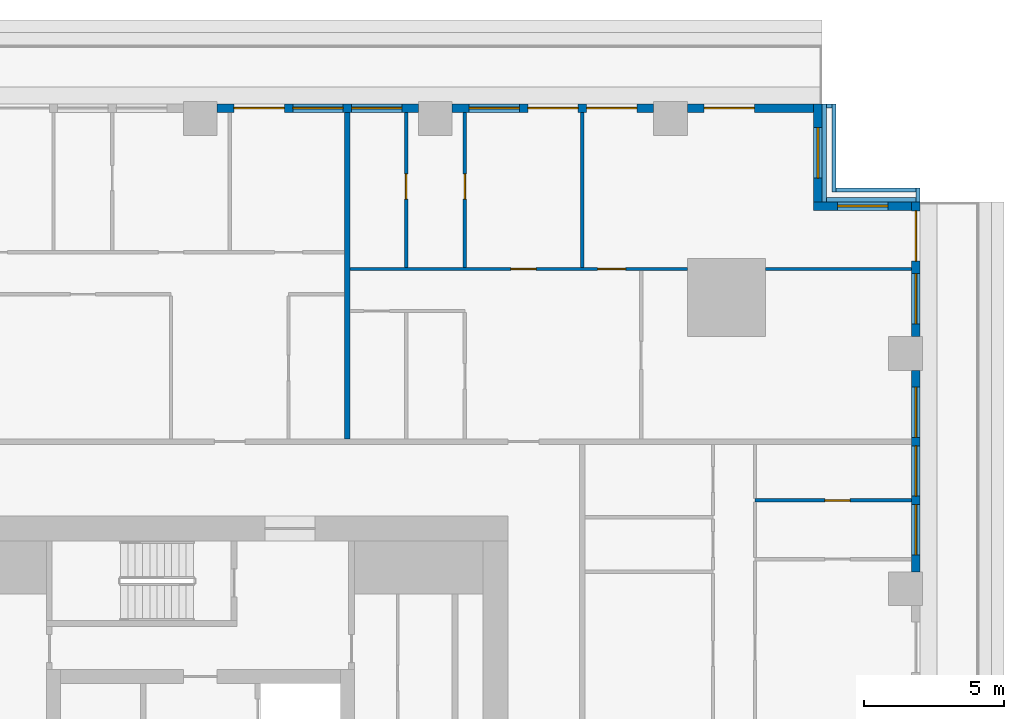
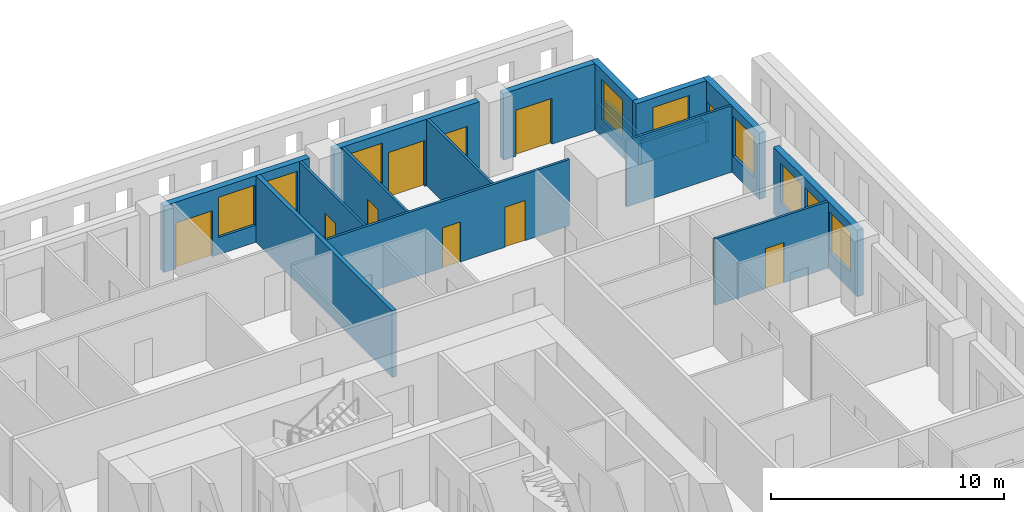
# One storey, part 10 of 16: 20 walls, 10 doors, 9 windows, 19 openings.
"""IFC4 building model written with IfcOpenShell, lengths in metres."""

from ifc_helpers import new_model, si_unit, direction, frame, frame_2d, origin, place, context, subcontext, project, spatial, rectangle, extrude, material, layer, layer_set, type_object, element, fill, save


model = new_model("IFC4")

# Units and contexts
model_context = context("Model", 3, precision=1e-05, world=origin(), true_north=direction((0.0, 1.0)))
body_context = subcontext(model_context, "Body", "Model", "MODEL_VIEW")
ifc_project = project(units=[si_unit("LENGTHUNIT", "METRE"), si_unit("AREAUNIT", "SQUARE_METRE"), si_unit("VOLUMEUNIT", "CUBIC_METRE"), si_unit("PLANEANGLEUNIT", "RADIAN"), si_unit("MASSUNIT", "GRAM", prefix="KILO")], contexts=[model_context])

# Site, building, storey
site_placement = place(None, origin())
site = spatial("IfcSite", under=ifc_project, at=site_placement, CompositionType="ELEMENT")
building_placement = place(site_placement, origin())
building = spatial("IfcBuilding", under=site, at=building_placement, Name="Khepri Terraces", CompositionType="ELEMENT")
storey_placement = place(building_placement, frame((0.0, 0.0, 79.199951171875)))
storey = spatial("IfcBuildingStorey", under=building, at=storey_placement, Name="L18", CompositionType="ELEMENT", Elevation=79.199951171875)

# Wall
ifc_material_1 = material(Name="Fire-rated gypsum plasterboard partition, mineral wool")
ifc_layer_1 = layer(ifc_material_1, 0.199951171875, Name="Fire-rated gypsum plasterboard partition, mineral wool")
ifc_layer_set_1 = layer_set([ifc_layer_1], Name="Fire-rated gypsum plasterboard partition, mineral wool")
wall_type_1 = type_object("IfcWallType", Name="WL-CORR-200", PredefinedType="PARTITIONING", material=ifc_layer_set_1)
wall_1_placement = place(storey_placement, frame((5.25, 13.75, 0.0), z_axis=(0.0, 0.0, 1.0), x_axis=(0.0, 1.0, 0.0)))
element("IfcWall", 1, at=wall_1_placement, inside=storey, type_object=wall_type_1, Name="Partition P-087 L18", PredefinedType="PARTITIONING", context=body_context, shape_type="SweptSolid", body=[
    extrude(rectangle(XDim=11.669921875, YDim=0.199951171875, at=frame_2d((5.8349609375, 0.0))), origin(), (0.0, 0.0, 1.0), 3.47998046875),
])

# Wall, openings, windows
ifc_material_2 = material(Name="Precast concrete C50/60 warm stone", Category="masonry")
ifc_layer_2 = layer(ifc_material_2, 0.300048828125, Name="Precast concrete C50/60 warm stone", Category="masonry")
ifc_layer_set_2 = layer_set([ifc_layer_2], Name="Precast concrete C50/60 warm stone")
wall_type_2 = type_object("IfcWallType", Name="WL-EXT-PRECAST-300", PredefinedType="STANDARD", material=ifc_layer_set_2)
wall_2_placement = place(storey_placement, frame((25.570068359375, 9.0, 0.0), z_axis=(0.0, 0.0, 1.0), x_axis=(0.0, 1.0, 0.0)))
wall_2 = element("IfcWall", 2, at=wall_2_placement, inside=storey, type_object=wall_type_2, Name="External wall L18 E", PredefinedType="STANDARD", context=body_context, shape_type="SweptSolid", body=[
    extrude(rectangle(XDim=7.199951171875, YDim=0.300048828125, at=frame_2d((3.60009765625, 0.0))), origin(), (0.0, 0.0, 1.0), 3.47998046875),
])
opening_1_placement = place(wall_2_placement, frame((0.60009765625, 0.0, 0.89990234375)))
opening_1 = element("IfcOpeningElement", 3, at=opening_1_placement, cuts=wall_2, Name="Opening W1", PredefinedType="OPENING", context=body_context, shape_type="SweptSolid", body=[
    extrude(rectangle(XDim=1.800048828125, YDim=2.10009765625, at=frame_2d((0.89990234375, 1.050048828125))), frame((0.0, 0.16015625, 0.0), z_axis=(0.0, -1.0, 0.0), x_axis=(1.0, 0.0, 0.0)), (0.0, 0.0, 1.0), 0.320068359375),
])
opening_2_placement = place(wall_2_placement, frame((2.699951171875, 0.0, 0.89990234375)))
opening_2 = element("IfcOpeningElement", 4, at=opening_2_placement, cuts=wall_2, Name="Opening W1", PredefinedType="OPENING", context=body_context, shape_type="SweptSolid", body=[
    extrude(rectangle(XDim=1.800048828125, YDim=2.10009765625, at=frame_2d((0.89990234375, 1.050048828125))), frame((0.0, 0.16015625, 0.0), z_axis=(0.0, -1.0, 0.0), x_axis=(1.0, 0.0, 0.0)), (0.0, 0.0, 1.0), 0.320068359375),
])
opening_3_placement = place(wall_2_placement, frame((4.800048828125, 0.0, 0.89990234375)))
opening_3 = element("IfcOpeningElement", 5, at=opening_3_placement, cuts=wall_2, Name="Opening W1", PredefinedType="OPENING", context=body_context, shape_type="SweptSolid", body=[
    extrude(rectangle(XDim=1.800048828125, YDim=2.10009765625, at=frame_2d((0.89990234375, 1.050048828125))), frame((0.0, 0.16015625, 0.0), z_axis=(0.0, -1.0, 0.0), x_axis=(1.0, 0.0, 0.0)), (0.0, 0.0, 1.0), 0.320068359375),
])
ifc_material_3 = material(Name="Clear glass", Category="glass")
window_type = type_object("IfcWindowType", Name="WIN-RES-1800x2100", PartitioningType="SINGLE_PANEL", PredefinedType="WINDOW", material=ifc_material_3)
window_1_placement = place(opening_1_placement, origin())
window_1 = element("IfcWindow", 6, at=window_1_placement, inside=storey, type_object=window_type, Name="Window L18 E", OverallHeight=2.10009765625, OverallWidth=1.800048828125, PartitioningType="SINGLE_PANEL", PredefinedType="WINDOW", context=body_context, shape_type="SweptSolid", body=[
    extrude(rectangle(XDim=1.800048828125, YDim=2.10009765625, at=frame_2d((0.89990234375, 1.050048828125))), frame((0.0, 0.030029296875, 0.0), z_axis=(0.0, -1.0, 0.0), x_axis=(1.0, 0.0, 0.0)), (0.0, 0.0, 1.0), 0.06005859375),
])
fill(opening_1, window_1)
window_2_placement = place(opening_2_placement, origin())
window_2 = element("IfcWindow", 7, at=window_2_placement, inside=storey, type_object=window_type, Name="Window L18 E", OverallHeight=2.10009765625, OverallWidth=1.800048828125, PartitioningType="SINGLE_PANEL", PredefinedType="WINDOW", context=body_context, shape_type="SweptSolid", body=[
    extrude(rectangle(XDim=1.800048828125, YDim=2.10009765625, at=frame_2d((0.89990234375, 1.050048828125))), frame((0.0, 0.030029296875, 0.0), z_axis=(0.0, -1.0, 0.0), x_axis=(1.0, 0.0, 0.0)), (0.0, 0.0, 1.0), 0.06005859375),
])
fill(opening_2, window_2)
window_3_placement = place(opening_3_placement, origin())
window_3 = element("IfcWindow", 8, at=window_3_placement, inside=storey, type_object=window_type, Name="Window L18 E", OverallHeight=2.10009765625, OverallWidth=1.800048828125, PartitioningType="SINGLE_PANEL", PredefinedType="WINDOW", context=body_context, shape_type="SweptSolid", body=[
    extrude(rectangle(XDim=1.800048828125, YDim=2.10009765625, at=frame_2d((0.89990234375, 1.050048828125))), frame((0.0, 0.030029296875, 0.0), z_axis=(0.0, -1.0, 0.0), x_axis=(1.0, 0.0, 0.0)), (0.0, 0.0, 1.0), 0.06005859375),
])
fill(opening_3, window_3)

# Wall, openings, door, window
wall_3_placement = place(storey_placement, frame((25.570068359375, 17.39990234375, 0.0), z_axis=(0.0, 0.0, 1.0), x_axis=(0.0, 1.0, 0.0)))
wall_3 = element("IfcWall", 9, at=wall_3_placement, inside=storey, type_object=wall_type_2, Name="External wall L18 E", PredefinedType="STANDARD", context=body_context, shape_type="SweptSolid", body=[
    extrude(rectangle(XDim=4.820068359375, YDim=0.300048828125, at=frame_2d((2.41015625, 0.0))), origin(), (0.0, 0.0, 1.0), 3.47998046875),
])
opening_4_placement = place(wall_3_placement, frame((2.699951171875, 0.0, 0.0)))
opening_4 = element("IfcOpeningElement", 10, at=opening_4_placement, cuts=wall_3, Name="Opening ED-L18-07", PredefinedType="OPENING", context=body_context, shape_type="SweptSolid", body=[
    extrude(rectangle(XDim=1.800048828125, YDim=2.39990234375, at=frame_2d((0.89990234375, 1.199951171875))), frame((0.0, 0.16015625, 0.0), z_axis=(0.0, -1.0, 0.0), x_axis=(1.0, 0.0, 0.0)), (0.0, 0.0, 1.0), 0.320068359375),
])
opening_5_placement = place(wall_3_placement, frame((0.4599609375, 0.0, 0.89990234375)))
opening_5 = element("IfcOpeningElement", 11, at=opening_5_placement, cuts=wall_3, Name="Opening W1", PredefinedType="OPENING", context=body_context, shape_type="SweptSolid", body=[
    extrude(rectangle(XDim=1.800048828125, YDim=2.10009765625, at=frame_2d((0.89990234375, 1.050048828125))), frame((0.0, 0.16015625, 0.0), z_axis=(0.0, -1.0, 0.0), x_axis=(1.0, 0.0, 0.0)), (0.0, 0.0, 1.0), 0.320068359375),
])
ifc_material_4 = material(Name="Anodised aluminium bronze glazed door", Category="aluminium")
door_type_1 = type_object("IfcDoorType", Name="DR-BAL-SLIDE-1800x2400", OperationType="NOTDEFINED", PredefinedType="DOOR", material=ifc_material_4)
door_1_placement = place(opening_4_placement, origin())
door_1 = element("IfcDoor", 12, at=door_1_placement, inside=storey, type_object=door_type_1, Name="Balcony door L18 E", OperationType="SLIDING_TO_LEFT", OverallHeight=2.39990234375, OverallWidth=1.800048828125, PredefinedType="DOOR", context=body_context, shape_type="SweptSolid", body=[
    extrude(rectangle(XDim=1.800048828125, YDim=2.39990234375, at=frame_2d((0.89990234375, 1.199951171875))), frame((0.0, 0.02490234375, 0.0), z_axis=(0.0, -1.0, 0.0), x_axis=(1.0, 0.0, 0.0)), (0.0, 0.0, 1.0), 0.050048828125),
])
fill(opening_4, door_1)
window_4_placement = place(opening_5_placement, origin())
window_4 = element("IfcWindow", 13, at=window_4_placement, inside=storey, type_object=window_type, Name="Window L18 E", OverallHeight=2.10009765625, OverallWidth=1.800048828125, PartitioningType="SINGLE_PANEL", PredefinedType="WINDOW", context=body_context, shape_type="SweptSolid", body=[
    extrude(rectangle(XDim=1.800048828125, YDim=2.10009765625, at=frame_2d((0.89990234375, 1.050048828125))), frame((0.0, 0.030029296875, 0.0), z_axis=(0.0, -1.0, 0.0), x_axis=(1.0, 0.0, 0.0)), (0.0, 0.0, 1.0), 0.06005859375),
])
fill(opening_5, window_4)

# Wall, opening, window
wall_4_placement = place(storey_placement, frame((25.419921875, 22.070068359375, 0.0), z_axis=(0.0, 0.0, 1.0), x_axis=(-1.0, 0.0, 0.0)))
wall_4 = element("IfcWall", 14, at=wall_4_placement, inside=storey, type_object=wall_type_2, Name="External wall L18 N", PredefinedType="STANDARD", context=body_context, shape_type="SweptSolid", body=[
    extrude(rectangle(XDim=3.5, YDim=0.300048828125, at=frame_2d((1.75, 0.0))), origin(), (0.0, 0.0, 1.0), 3.47998046875),
])
opening_6_placement = place(wall_4_placement, frame((0.85009765625, 0.0, 0.89990234375)))
opening_6 = element("IfcOpeningElement", 15, at=opening_6_placement, cuts=wall_4, Name="Opening W1", PredefinedType="OPENING", context=body_context, shape_type="SweptSolid", body=[
    extrude(rectangle(XDim=1.800048828125, YDim=2.10009765625, at=frame_2d((0.89990234375, 1.050048828125))), frame((0.0, 0.16015625, 0.0), z_axis=(0.0, -1.0, 0.0), x_axis=(1.0, 0.0, 0.0)), (0.0, 0.0, 1.0), 0.320068359375),
])
window_5_placement = place(opening_6_placement, origin())
window_5 = element("IfcWindow", 16, at=window_5_placement, inside=storey, type_object=window_type, Name="Window L18 N", OverallHeight=2.10009765625, OverallWidth=1.800048828125, PartitioningType="SINGLE_PANEL", PredefinedType="WINDOW", context=body_context, shape_type="SweptSolid", body=[
    extrude(rectangle(XDim=1.800048828125, YDim=2.10009765625, at=frame_2d((0.89990234375, 1.050048828125))), frame((0.0, 0.030029296875, 0.0), z_axis=(0.0, -1.0, 0.0), x_axis=(1.0, 0.0, 0.0)), (0.0, 0.0, 1.0), 0.06005859375),
])
fill(opening_6, window_5)

wall_5_placement = place(storey_placement, frame((22.070068359375, 22.219970703125, 0.0), z_axis=(0.0, 0.0, 1.0), x_axis=(0.0, 1.0, 0.0)))
wall_5 = element("IfcWall", 17, at=wall_5_placement, inside=storey, type_object=wall_type_2, Name="External wall L18 E", PredefinedType="STANDARD", context=body_context, shape_type="SweptSolid", body=[
    extrude(rectangle(XDim=3.5, YDim=0.300048828125, at=frame_2d((1.75, 0.0))), origin(), (0.0, 0.0, 1.0), 3.47998046875),
])
opening_7_placement = place(wall_5_placement, frame((0.85009765625, 0.0, 0.89990234375)))
opening_7 = element("IfcOpeningElement", 18, at=opening_7_placement, cuts=wall_5, Name="Opening W1", PredefinedType="OPENING", context=body_context, shape_type="SweptSolid", body=[
    extrude(rectangle(XDim=1.800048828125, YDim=2.10009765625, at=frame_2d((0.89990234375, 1.050048828125))), frame((0.0, 0.16015625, 0.0), z_axis=(0.0, -1.0, 0.0), x_axis=(1.0, 0.0, 0.0)), (0.0, 0.0, 1.0), 0.320068359375),
])
window_6_placement = place(opening_7_placement, origin())
window_6 = element("IfcWindow", 19, at=window_6_placement, inside=storey, type_object=window_type, Name="Window L18 E", OverallHeight=2.10009765625, OverallWidth=1.800048828125, PartitioningType="SINGLE_PANEL", PredefinedType="WINDOW", context=body_context, shape_type="SweptSolid", body=[
    extrude(rectangle(XDim=1.800048828125, YDim=2.10009765625, at=frame_2d((0.89990234375, 1.050048828125))), frame((0.0, 0.030029296875, 0.0), z_axis=(0.0, -1.0, 0.0), x_axis=(1.0, 0.0, 0.0)), (0.0, 0.0, 1.0), 0.06005859375),
])
fill(opening_7, window_6)

# Wall, opening, door
wall_6_placement = place(storey_placement, frame((21.919921875, 25.570068359375, 0.0), z_axis=(0.0, 0.0, 1.0), x_axis=(-1.0, 0.0, 0.0)))
wall_6 = element("IfcWall", 20, at=wall_6_placement, inside=storey, type_object=wall_type_2, Name="External wall L18 N", PredefinedType="STANDARD", context=body_context, shape_type="SweptSolid", body=[
    extrude(rectangle(XDim=4.52001953125, YDim=0.300048828125, at=frame_2d((2.260009765625, 0.0))), origin(), (0.0, 0.0, 1.0), 3.47998046875),
])
opening_8_placement = place(wall_6_placement, frame((2.1201171875, 0.0, 0.0)))
opening_8 = element("IfcOpeningElement", 21, at=opening_8_placement, cuts=wall_6, Name="Opening ED-L18-08", PredefinedType="OPENING", context=body_context, shape_type="SweptSolid", body=[
    extrude(rectangle(XDim=1.800048828125, YDim=2.39990234375, at=frame_2d((0.89990234375, 1.199951171875))), frame((0.0, 0.16015625, 0.0), z_axis=(0.0, -1.0, 0.0), x_axis=(1.0, 0.0, 0.0)), (0.0, 0.0, 1.0), 0.320068359375),
])
door_2_placement = place(opening_8_placement, origin())
door_2 = element("IfcDoor", 22, at=door_2_placement, inside=storey, type_object=door_type_1, Name="Balcony door L18 N", OperationType="SLIDING_TO_RIGHT", OverallHeight=2.39990234375, OverallWidth=1.800048828125, PredefinedType="DOOR", context=body_context, shape_type="SweptSolid", body=[
    extrude(rectangle(XDim=1.800048828125, YDim=2.39990234375, at=frame_2d((0.89990234375, 1.199951171875))), frame((0.0, 0.02490234375, 0.0), z_axis=(0.0, -1.0, 0.0), x_axis=(1.0, 0.0, 0.0)), (0.0, 0.0, 1.0), 0.050048828125),
])
fill(opening_8, door_2)

# Wall, openings, doors, window
wall_7_placement = place(storey_placement, frame((16.199951171875, 25.570068359375, 0.0), z_axis=(0.0, 0.0, 1.0), x_axis=(-1.0, 0.0, 0.0)))
wall_7 = element("IfcWall", 23, at=wall_7_placement, inside=storey, type_object=wall_type_2, Name="External wall L18 N", PredefinedType="STANDARD", context=body_context, shape_type="SweptSolid", body=[
    extrude(rectangle(XDim=7.199951171875, YDim=0.300048828125, at=frame_2d((3.60009765625, 0.0))), origin(), (0.0, 0.0, 1.0), 3.47998046875),
])
opening_9_placement = place(wall_7_placement, frame((0.60009765625, 0.0, 0.0)))
opening_9 = element("IfcOpeningElement", 24, at=opening_9_placement, cuts=wall_7, Name="Opening ED-L18-09", PredefinedType="OPENING", context=body_context, shape_type="SweptSolid", body=[
    extrude(rectangle(XDim=1.800048828125, YDim=2.39990234375, at=frame_2d((0.89990234375, 1.199951171875))), frame((0.0, 0.16015625, 0.0), z_axis=(0.0, -1.0, 0.0), x_axis=(1.0, 0.0, 0.0)), (0.0, 0.0, 1.0), 0.320068359375),
])
opening_10_placement = place(wall_7_placement, frame((2.699951171875, 0.0, 0.0)))
opening_10 = element("IfcOpeningElement", 25, at=opening_10_placement, cuts=wall_7, Name="Opening ED-L18-10", PredefinedType="OPENING", context=body_context, shape_type="SweptSolid", body=[
    extrude(rectangle(XDim=1.800048828125, YDim=2.39990234375, at=frame_2d((0.89990234375, 1.199951171875))), frame((0.0, 0.16015625, 0.0), z_axis=(0.0, -1.0, 0.0), x_axis=(1.0, 0.0, 0.0)), (0.0, 0.0, 1.0), 0.320068359375),
])
opening_11_placement = place(wall_7_placement, frame((4.800048828125, 0.0, 0.89990234375)))
opening_11 = element("IfcOpeningElement", 26, at=opening_11_placement, cuts=wall_7, Name="Opening W1", PredefinedType="OPENING", context=body_context, shape_type="SweptSolid", body=[
    extrude(rectangle(XDim=1.800048828125, YDim=2.10009765625, at=frame_2d((0.89990234375, 1.050048828125))), frame((0.0, 0.16015625, 0.0), z_axis=(0.0, -1.0, 0.0), x_axis=(1.0, 0.0, 0.0)), (0.0, 0.0, 1.0), 0.320068359375),
])
door_3_placement = place(opening_9_placement, origin())
door_3 = element("IfcDoor", 27, at=door_3_placement, inside=storey, type_object=door_type_1, Name="Balcony door L18 N", OperationType="SLIDING_TO_LEFT", OverallHeight=2.39990234375, OverallWidth=1.800048828125, PredefinedType="DOOR", context=body_context, shape_type="SweptSolid", body=[
    extrude(rectangle(XDim=1.800048828125, YDim=2.39990234375, at=frame_2d((0.89990234375, 1.199951171875))), frame((0.0, 0.02490234375, 0.0), z_axis=(0.0, -1.0, 0.0), x_axis=(1.0, 0.0, 0.0)), (0.0, 0.0, 1.0), 0.050048828125),
])
fill(opening_9, door_3)
door_4_placement = place(opening_10_placement, origin())
door_4 = element("IfcDoor", 28, at=door_4_placement, inside=storey, type_object=door_type_1, Name="Balcony door L18 N", OperationType="SLIDING_TO_RIGHT", OverallHeight=2.39990234375, OverallWidth=1.800048828125, PredefinedType="DOOR", context=body_context, shape_type="SweptSolid", body=[
    extrude(rectangle(XDim=1.800048828125, YDim=2.39990234375, at=frame_2d((0.89990234375, 1.199951171875))), frame((0.0, 0.02490234375, 0.0), z_axis=(0.0, -1.0, 0.0), x_axis=(1.0, 0.0, 0.0)), (0.0, 0.0, 1.0), 0.050048828125),
])
fill(opening_10, door_4)
window_7_placement = place(opening_11_placement, origin())
window_7 = element("IfcWindow", 29, at=window_7_placement, inside=storey, type_object=window_type, Name="Window L18 N", OverallHeight=2.10009765625, OverallWidth=1.800048828125, PartitioningType="SINGLE_PANEL", PredefinedType="WINDOW", context=body_context, shape_type="SweptSolid", body=[
    extrude(rectangle(XDim=1.800048828125, YDim=2.10009765625, at=frame_2d((0.89990234375, 1.050048828125))), frame((0.0, 0.030029296875, 0.0), z_axis=(0.0, -1.0, 0.0), x_axis=(1.0, 0.0, 0.0)), (0.0, 0.0, 1.0), 0.06005859375),
])
fill(opening_11, window_7)

# Wall, openings, door, windows
wall_8_placement = place(storey_placement, frame((7.800048828125, 25.570068359375, 0.0), z_axis=(0.0, 0.0, 1.0), x_axis=(-1.0, 0.0, 0.0)))
wall_8 = element("IfcWall", 30, at=wall_8_placement, inside=storey, type_object=wall_type_2, Name="External wall L18 N", PredefinedType="STANDARD", context=body_context, shape_type="SweptSolid", body=[
    extrude(rectangle(XDim=7.199951171875, YDim=0.300048828125, at=frame_2d((3.60009765625, 0.0))), origin(), (0.0, 0.0, 1.0), 3.47998046875),
])
opening_12_placement = place(wall_8_placement, frame((0.60009765625, 0.0, 0.89990234375)))
opening_12 = element("IfcOpeningElement", 31, at=opening_12_placement, cuts=wall_8, Name="Opening W1", PredefinedType="OPENING", context=body_context, shape_type="SweptSolid", body=[
    extrude(rectangle(XDim=1.800048828125, YDim=2.10009765625, at=frame_2d((0.89990234375, 1.050048828125))), frame((0.0, 0.16015625, 0.0), z_axis=(0.0, -1.0, 0.0), x_axis=(1.0, 0.0, 0.0)), (0.0, 0.0, 1.0), 0.320068359375),
])
opening_13_placement = place(wall_8_placement, frame((2.699951171875, 0.0, 0.89990234375)))
opening_13 = element("IfcOpeningElement", 32, at=opening_13_placement, cuts=wall_8, Name="Opening W1", PredefinedType="OPENING", context=body_context, shape_type="SweptSolid", body=[
    extrude(rectangle(XDim=1.800048828125, YDim=2.10009765625, at=frame_2d((0.89990234375, 1.050048828125))), frame((0.0, 0.16015625, 0.0), z_axis=(0.0, -1.0, 0.0), x_axis=(1.0, 0.0, 0.0)), (0.0, 0.0, 1.0), 0.320068359375),
])
opening_14_placement = place(wall_8_placement, frame((4.800048828125, 0.0, 0.0)))
opening_14 = element("IfcOpeningElement", 33, at=opening_14_placement, cuts=wall_8, Name="Opening ED-L18-11", PredefinedType="OPENING", context=body_context, shape_type="SweptSolid", body=[
    extrude(rectangle(XDim=1.800048828125, YDim=2.39990234375, at=frame_2d((0.89990234375, 1.199951171875))), frame((0.0, 0.16015625, 0.0), z_axis=(0.0, -1.0, 0.0), x_axis=(1.0, 0.0, 0.0)), (0.0, 0.0, 1.0), 0.320068359375),
])
door_5_placement = place(opening_14_placement, origin())
door_5 = element("IfcDoor", 34, at=door_5_placement, inside=storey, type_object=door_type_1, Name="Balcony door L18 N", OperationType="SLIDING_TO_RIGHT", OverallHeight=2.39990234375, OverallWidth=1.800048828125, PredefinedType="DOOR", context=body_context, shape_type="SweptSolid", body=[
    extrude(rectangle(XDim=1.800048828125, YDim=2.39990234375, at=frame_2d((0.89990234375, 1.199951171875))), frame((0.0, 0.02490234375, 0.0), z_axis=(0.0, -1.0, 0.0), x_axis=(1.0, 0.0, 0.0)), (0.0, 0.0, 1.0), 0.050048828125),
])
fill(opening_14, door_5)
window_8_placement = place(opening_12_placement, origin())
window_8 = element("IfcWindow", 35, at=window_8_placement, inside=storey, type_object=window_type, Name="Window L18 N", OverallHeight=2.10009765625, OverallWidth=1.800048828125, PartitioningType="SINGLE_PANEL", PredefinedType="WINDOW", context=body_context, shape_type="SweptSolid", body=[
    extrude(rectangle(XDim=1.800048828125, YDim=2.10009765625, at=frame_2d((0.89990234375, 1.050048828125))), frame((0.0, 0.030029296875, 0.0), z_axis=(0.0, -1.0, 0.0), x_axis=(1.0, 0.0, 0.0)), (0.0, 0.0, 1.0), 0.06005859375),
])
fill(opening_12, window_8)
window_9_placement = place(opening_13_placement, origin())
window_9 = element("IfcWindow", 36, at=window_9_placement, inside=storey, type_object=window_type, Name="Window L18 N", OverallHeight=2.10009765625, OverallWidth=1.800048828125, PartitioningType="SINGLE_PANEL", PredefinedType="WINDOW", context=body_context, shape_type="SweptSolid", body=[
    extrude(rectangle(XDim=1.800048828125, YDim=2.10009765625, at=frame_2d((0.89990234375, 1.050048828125))), frame((0.0, 0.030029296875, 0.0), z_axis=(0.0, -1.0, 0.0), x_axis=(1.0, 0.0, 0.0)), (0.0, 0.0, 1.0), 0.06005859375),
])
fill(opening_13, window_9)

# Walls
ifc_layer_3 = layer(ifc_material_2, 0.14990234375, Name="Precast concrete C50/60 warm stone", Category="masonry")
ifc_layer_set_3 = layer_set([ifc_layer_3], Name="Precast concrete C50/60 warm stone")
wall_type_3 = type_object("IfcWallType", Name="WL-PARAPET-150", PredefinedType="PARAPET", material=ifc_layer_set_3)
wall_9_placement = place(storey_placement, frame((22.294921875, 22.219970703125, 0.0), z_axis=(0.0, 0.0, 1.0), x_axis=(0.0, 1.0, 0.0)))
element("IfcWall", 37, at=wall_9_placement, inside=storey, type_object=wall_type_3, Name="Ledge parapet L18", PredefinedType="PARAPET", context=body_context, shape_type="SweptSolid", body=[
    extrude(rectangle(XDim=3.5, YDim=0.14990234375, at=frame_2d((1.75, 0.0))), origin(), (0.0, 0.0, 1.0), 1.10009765625),
])
wall_10_placement = place(storey_placement, frame((22.3701171875, 25.64501953125, 0.0), z_axis=(0.0, 0.0, 1.0), x_axis=(1.0, 0.0, 0.0)))
element("IfcWall", 38, at=wall_10_placement, inside=storey, type_object=wall_type_3, Name="Ledge parapet L18", PredefinedType="PARAPET", context=body_context, shape_type="SweptSolid", body=[
    extrude(rectangle(XDim=0.199951171875, YDim=0.14990234375, at=frame_2d((0.10009765625, 0.0))), origin(), (0.0, 0.0, 1.0), 1.10009765625),
])
wall_11_placement = place(storey_placement, frame((22.3701171875, 22.294921875, 0.0), z_axis=(0.0, 0.0, 1.0), x_axis=(1.0, 0.0, 0.0)))
element("IfcWall", 39, at=wall_11_placement, inside=storey, type_object=wall_type_3, Name="Ledge parapet L18", PredefinedType="PARAPET", context=body_context, shape_type="SweptSolid", body=[
    extrude(rectangle(XDim=3.199951171875, YDim=0.14990234375, at=frame_2d((1.60009765625, 0.0))), origin(), (0.0, 0.0, 1.0), 1.10009765625),
])
wall_12_placement = place(storey_placement, frame((22.64501953125, 22.570068359375, 0.0), z_axis=(0.0, 0.0, 1.0), x_axis=(0.0, 1.0, 0.0)))
element("IfcWall", 40, at=wall_12_placement, inside=storey, type_object=wall_type_3, Name="Ledge parapet L18", PredefinedType="PARAPET", context=body_context, shape_type="SweptSolid", body=[
    extrude(rectangle(XDim=3.14990234375, YDim=0.14990234375, at=frame_2d((1.574951171875, 0.0))), origin(), (0.0, 0.0, 1.0), 1.10009765625),
])
wall_13_placement = place(storey_placement, frame((22.719970703125, 22.64501953125, 0.0), z_axis=(0.0, 0.0, 1.0), x_axis=(1.0, 0.0, 0.0)))
element("IfcWall", 41, at=wall_13_placement, inside=storey, type_object=wall_type_3, Name="Ledge parapet L18", PredefinedType="PARAPET", context=body_context, shape_type="SweptSolid", body=[
    extrude(rectangle(XDim=2.85009765625, YDim=0.14990234375, at=frame_2d((1.425048828125, 0.0))), origin(), (0.0, 0.0, 1.0), 1.10009765625),
])
wall_14_placement = place(storey_placement, frame((25.64501953125, 22.219970703125, 0.0), z_axis=(0.0, 0.0, 1.0), x_axis=(0.0, 1.0, 0.0)))
element("IfcWall", 42, at=wall_14_placement, inside=storey, type_object=wall_type_3, Name="Ledge parapet L18", PredefinedType="PARAPET", context=body_context, shape_type="SweptSolid", body=[
    extrude(rectangle(XDim=0.5, YDim=0.14990234375, at=frame_2d((0.25, 0.0))), origin(), (0.0, 0.0, 1.0), 1.10009765625),
])

# Wall, opening, door
ifc_material_5 = material(Name="Gypsum plasterboard partition")
ifc_layer_4 = layer(ifc_material_5, 0.1201171875, Name="Gypsum plasterboard partition")
ifc_layer_set_4 = layer_set([ifc_layer_4], Name="Gypsum plasterboard partition")
wall_type_4 = type_object("IfcWallType", Name="WL-PART-120", PredefinedType="PARTITIONING", material=ifc_layer_set_4)
wall_15_placement = place(storey_placement, frame((19.820068359375, 11.550048828125, 0.0), z_axis=(0.0, 0.0, 1.0), x_axis=(1.0, 0.0, 0.0)))
wall_15 = element("IfcWall", 43, at=wall_15_placement, inside=storey, type_object=wall_type_4, Name="Partition P-076 L18", PredefinedType="PARTITIONING", context=body_context, shape_type="SweptSolid", body=[
    extrude(rectangle(XDim=5.599853515625, YDim=0.1201171875, at=frame_2d((2.7998046875, 0.0))), origin(), (0.0, 0.0, 1.0), 3.47998046875),
])
opening_15_placement = place(wall_15_placement, frame((2.5, 0.0, 0.0)))
opening_15 = element("IfcOpeningElement", 44, at=opening_15_placement, cuts=wall_15, Name="Opening D4", PredefinedType="OPENING", context=body_context, shape_type="SweptSolid", body=[
    extrude(rectangle(XDim=0.89990234375, YDim=2.10009765625, at=frame_2d((0.449951171875, 1.050048828125))), frame((0.0, 0.070068359375, 0.0), z_axis=(0.0, -1.0, 0.0), x_axis=(1.0, 0.0, 0.0)), (0.0, 0.0, 1.0), 0.14013671875),
])
ifc_material_6 = material(Name="Timber door leaf, moisture resistant", Category="wood")
door_type_2 = type_object("IfcDoorType", Name="DR-WET-900", OperationType="NOTDEFINED", PredefinedType="DOOR", material=ifc_material_6)
door_6_placement = place(opening_15_placement, origin())
door_6 = element("IfcDoor", 45, at=door_6_placement, inside=storey, type_object=door_type_2, Name="Door Bathroom", OperationType="SINGLE_SWING_RIGHT", OverallHeight=2.10009765625, OverallWidth=0.89990234375, PredefinedType="DOOR", context=body_context, shape_type="SweptSolid", body=[
    extrude(rectangle(XDim=0.89990234375, YDim=2.10009765625, at=frame_2d((0.449951171875, 1.050048828125))), frame((0.0, 0.02490234375, 0.0), z_axis=(0.0, -1.0, 0.0), x_axis=(1.0, 0.0, 0.0)), (0.0, 0.0, 1.0), 0.050048828125),
])
fill(opening_15, door_6)

# Wall, openings, doors
wall_16_placement = place(storey_placement, frame((5.35009765625, 19.820068359375, 0.0), z_axis=(0.0, 0.0, 1.0), x_axis=(1.0, 0.0, 0.0)))
wall_16 = element("IfcWall", 46, at=wall_16_placement, inside=storey, type_object=wall_type_4, Name="Partition P-096 L18", PredefinedType="PARTITIONING", context=body_context, shape_type="SweptSolid", body=[
    extrude(rectangle(XDim=12.0498046875, YDim=0.1201171875, at=frame_2d((6.02490234375, 0.0))), origin(), (0.0, 0.0, 1.0), 3.47998046875),
])
opening_16_placement = place(wall_16_placement, frame((8.85009765625, 0.0, 0.0)))
opening_16 = element("IfcOpeningElement", 47, at=opening_16_placement, cuts=wall_16, Name="Opening D2", PredefinedType="OPENING", context=body_context, shape_type="SweptSolid", body=[
    extrude(rectangle(XDim=1.0, YDim=2.10009765625, at=frame_2d((0.5, 1.050048828125))), frame((0.0, 0.070068359375, 0.0), z_axis=(0.0, -1.0, 0.0), x_axis=(1.0, 0.0, 0.0)), (0.0, 0.0, 1.0), 0.14013671875),
])
opening_17_placement = place(wall_16_placement, frame((5.75, 0.0, 0.0)))
opening_17 = element("IfcOpeningElement", 48, at=opening_17_placement, cuts=wall_16, Name="Opening D3", PredefinedType="OPENING", context=body_context, shape_type="SweptSolid", body=[
    extrude(rectangle(XDim=0.89990234375, YDim=2.10009765625, at=frame_2d((0.449951171875, 1.050048828125))), frame((0.0, 0.070068359375, 0.0), z_axis=(0.0, -1.0, 0.0), x_axis=(1.0, 0.0, 0.0)), (0.0, 0.0, 1.0), 0.14013671875),
])
ifc_material_7 = material(Name="Timber door leaf, living room door", Category="wood")
door_type_3 = type_object("IfcDoorType", Name="DR-INT-1000", OperationType="NOTDEFINED", PredefinedType="DOOR", material=ifc_material_7)
door_7_placement = place(opening_16_placement, origin())
door_7 = element("IfcDoor", 49, at=door_7_placement, inside=storey, type_object=door_type_3, Name="Door Living Room", OperationType="SINGLE_SWING_RIGHT", OverallHeight=2.10009765625, OverallWidth=1.0, PredefinedType="DOOR", context=body_context, shape_type="SweptSolid", body=[
    extrude(rectangle(XDim=1.0, YDim=2.10009765625, at=frame_2d((0.5, 1.050048828125))), frame((0.0, 0.02490234375, 0.0), z_axis=(0.0, -1.0, 0.0), x_axis=(1.0, 0.0, 0.0)), (0.0, 0.0, 1.0), 0.050048828125),
])
fill(opening_16, door_7)
ifc_material_8 = material(Name="Timber door leaf", Category="wood")
door_type_4 = type_object("IfcDoorType", Name="DR-INT-900", OperationType="NOTDEFINED", PredefinedType="DOOR", material=ifc_material_8)
door_8_placement = place(opening_17_placement, origin())
door_8 = element("IfcDoor", 50, at=door_8_placement, inside=storey, type_object=door_type_4, Name="Door Master Bedroom", OperationType="SINGLE_SWING_RIGHT", OverallHeight=2.10009765625, OverallWidth=0.89990234375, PredefinedType="DOOR", context=body_context, shape_type="SweptSolid", body=[
    extrude(rectangle(XDim=0.89990234375, YDim=2.10009765625, at=frame_2d((0.449951171875, 1.050048828125))), frame((0.0, 0.02490234375, 0.0), z_axis=(0.0, -1.0, 0.0), x_axis=(1.0, 0.0, 0.0)), (0.0, 0.0, 1.0), 0.050048828125),
])
fill(opening_17, door_8)

# Wall
wall_17_placement = place(storey_placement, frame((20.199951171875, 19.820068359375, 0.0), z_axis=(0.0, 0.0, 1.0), x_axis=(1.0, 0.0, 0.0)))
element("IfcWall", 51, at=wall_17_placement, inside=storey, type_object=wall_type_4, Name="Partition P-097 L18", PredefinedType="PARTITIONING", context=body_context, shape_type="SweptSolid", body=[
    extrude(rectangle(XDim=5.219970703125, YDim=0.1201171875, at=frame_2d((2.60986328125, 0.0))), origin(), (0.0, 0.0, 1.0), 3.47998046875),
])

# Wall, opening, door
wall_18_placement = place(storey_placement, frame((7.35009765625, 19.8798828125, 0.0), z_axis=(0.0, 0.0, 1.0), x_axis=(0.0, 1.0, 0.0)))
wall_18 = element("IfcWall", 52, at=wall_18_placement, inside=storey, type_object=wall_type_4, Name="Partition P-098 L18", PredefinedType="PARTITIONING", context=body_context, shape_type="SweptSolid", body=[
    extrude(rectangle(XDim=5.5400390625, YDim=0.1201171875, at=frame_2d((2.77001953125, 0.0))), origin(), (0.0, 0.0, 1.0), 3.47998046875),
])
opening_18_placement = place(wall_18_placement, frame((2.43994140625, 0.0, 0.0)))
opening_18 = element("IfcOpeningElement", 53, at=opening_18_placement, cuts=wall_18, Name="Opening D4", PredefinedType="OPENING", context=body_context, shape_type="SweptSolid", body=[
    extrude(rectangle(XDim=0.89990234375, YDim=2.10009765625, at=frame_2d((0.449951171875, 1.050048828125))), frame((0.0, 0.070068359375, 0.0), z_axis=(0.0, -1.0, 0.0), x_axis=(1.0, 0.0, 0.0)), (0.0, 0.0, 1.0), 0.14013671875),
])
door_9_placement = place(opening_18_placement, origin())
door_9 = element("IfcDoor", 54, at=door_9_placement, inside=storey, type_object=door_type_2, Name="Door Bathroom", OperationType="SINGLE_SWING_RIGHT", OverallHeight=2.10009765625, OverallWidth=0.89990234375, PredefinedType="DOOR", context=body_context, shape_type="SweptSolid", body=[
    extrude(rectangle(XDim=0.89990234375, YDim=2.10009765625, at=frame_2d((0.449951171875, 1.050048828125))), frame((0.0, 0.02490234375, 0.0), z_axis=(0.0, -1.0, 0.0), x_axis=(1.0, 0.0, 0.0)), (0.0, 0.0, 1.0), 0.050048828125),
])
fill(opening_18, door_9)

wall_19_placement = place(storey_placement, frame((9.449951171875, 19.8798828125, 0.0), z_axis=(0.0, 0.0, 1.0), x_axis=(0.0, 1.0, 0.0)))
wall_19 = element("IfcWall", 55, at=wall_19_placement, inside=storey, type_object=wall_type_4, Name="Partition P-099 L18", PredefinedType="PARTITIONING", context=body_context, shape_type="SweptSolid", body=[
    extrude(rectangle(XDim=5.5400390625, YDim=0.1201171875, at=frame_2d((2.77001953125, 0.0))), origin(), (0.0, 0.0, 1.0), 3.47998046875),
])
opening_19_placement = place(wall_19_placement, frame((2.43994140625, 0.0, 0.0)))
opening_19 = element("IfcOpeningElement", 56, at=opening_19_placement, cuts=wall_19, Name="Opening D3", PredefinedType="OPENING", context=body_context, shape_type="SweptSolid", body=[
    extrude(rectangle(XDim=0.89990234375, YDim=2.10009765625, at=frame_2d((0.449951171875, 1.050048828125))), frame((0.0, 0.070068359375, 0.0), z_axis=(0.0, -1.0, 0.0), x_axis=(1.0, 0.0, 0.0)), (0.0, 0.0, 1.0), 0.14013671875),
])
door_10_placement = place(opening_19_placement, origin())
door_10 = element("IfcDoor", 57, at=door_10_placement, inside=storey, type_object=door_type_4, Name="Door Dressing Room", OperationType="SINGLE_SWING_RIGHT", OverallHeight=2.10009765625, OverallWidth=0.89990234375, PredefinedType="DOOR", context=body_context, shape_type="SweptSolid", body=[
    extrude(rectangle(XDim=0.89990234375, YDim=2.10009765625, at=frame_2d((0.449951171875, 1.050048828125))), frame((0.0, 0.02490234375, 0.0), z_axis=(0.0, -1.0, 0.0), x_axis=(1.0, 0.0, 0.0)), (0.0, 0.0, 1.0), 0.050048828125),
])
fill(opening_19, door_10)

# Wall
wall_20_placement = place(storey_placement, frame((13.64990234375, 19.8798828125, 0.0), z_axis=(0.0, 0.0, 1.0), x_axis=(0.0, 1.0, 0.0)))
element("IfcWall", 58, at=wall_20_placement, inside=storey, type_object=wall_type_4, Name="Partition P-100 L18", PredefinedType="PARTITIONING", context=body_context, shape_type="SweptSolid", body=[
    extrude(rectangle(XDim=5.5400390625, YDim=0.1201171875, at=frame_2d((2.77001953125, 0.0))), origin(), (0.0, 0.0, 1.0), 3.47998046875),
])

save(model, "model.ifc")
